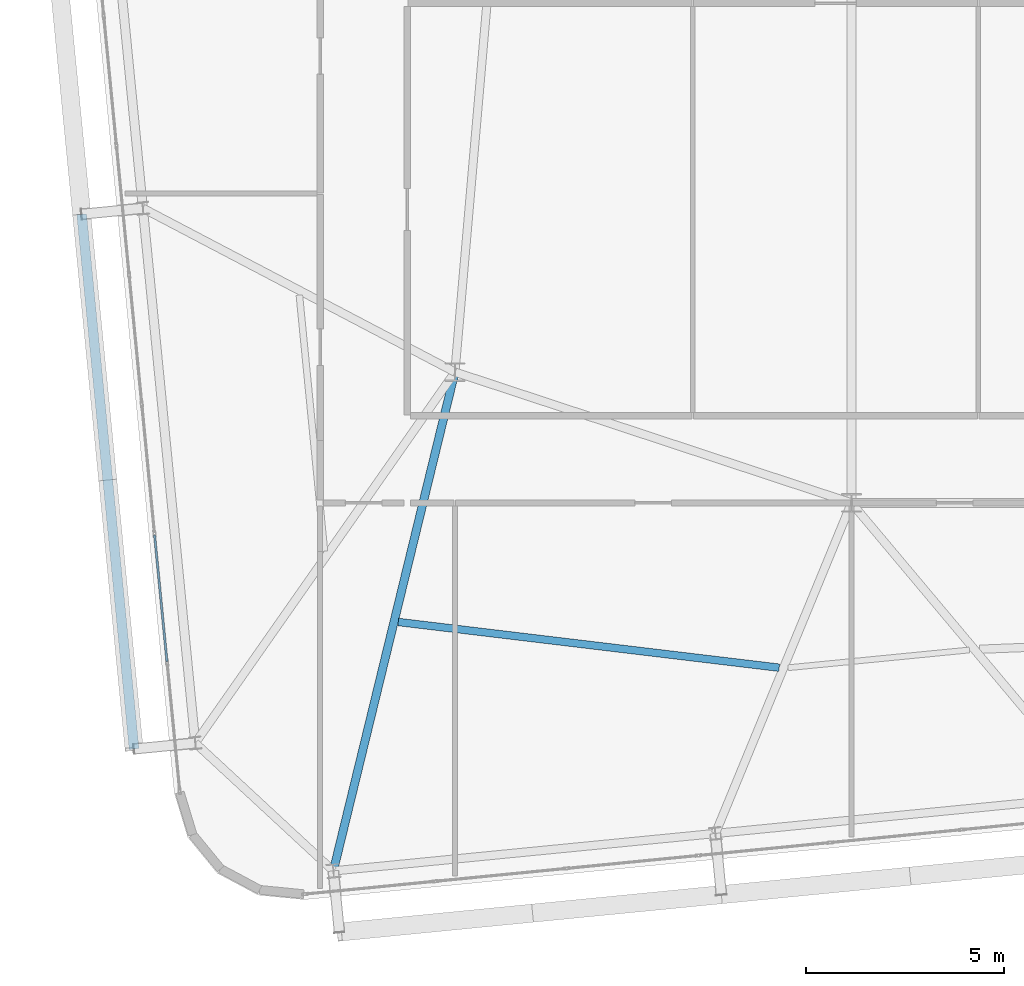
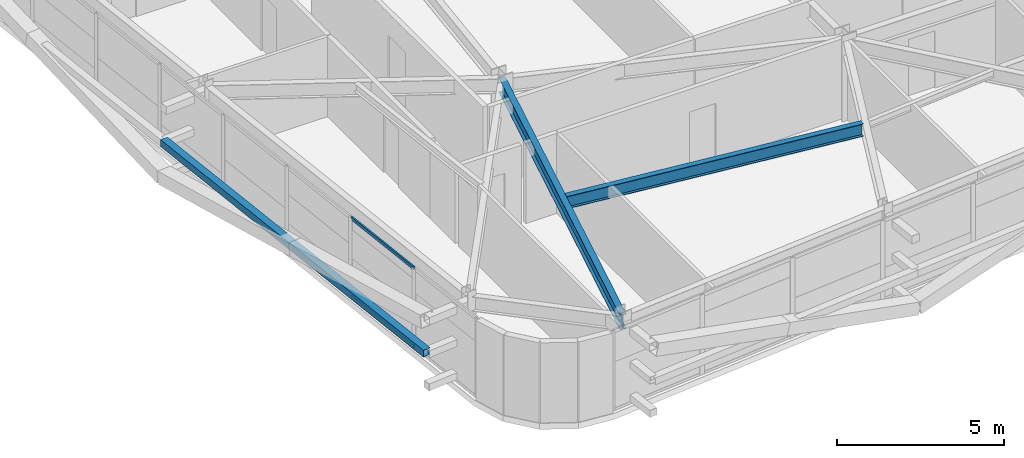
# One storey, part 7 of 52: 3 members, 2 beams, 1 element without a shape of its own.
"""IFC4 building model written with IfcOpenShell, lengths in metres."""

from ifc_helpers import new_model, si_unit, direction, frame, origin, origin_2d, place, context, subcontext, project, spatial, hollow_rectangle, i_section, extrude, source, transform, mapped, material, layer, layer_set, material_profile, profile_set, type_object, element, aggregate, save


model = new_model("IFC4")

# Units and contexts
model_context = context("Model", 3, precision=1e-05, world=origin(), true_north=direction((0.0, 1.0)))
body_context = subcontext(model_context, "Body", "Model", "MODEL_VIEW")
ifc_project = project(units=[si_unit("LENGTHUNIT", "METRE"), si_unit("AREAUNIT", "SQUARE_METRE"), si_unit("VOLUMEUNIT", "CUBIC_METRE"), si_unit("PLANEANGLEUNIT", "RADIAN"), si_unit("MASSUNIT", "GRAM", prefix="KILO")], contexts=[model_context])

# Site, building, storey
site_placement = place(None, origin())
site = spatial("IfcSite", under=ifc_project, at=site_placement, CompositionType="ELEMENT")
building_placement = place(site_placement, origin())
building = spatial("IfcBuilding", under=site, at=building_placement, Name="Taldren Reach Tower", CompositionType="ELEMENT")
storey_placement = place(building_placement, frame((0.0, 0.0, 96.60009765625)))
storey = spatial("IfcBuildingStorey", under=building, at=storey_placement, Name="L29", CompositionType="ELEMENT", Elevation=96.60009765625)

# Beams
ifc_material_1 = material(Name="Steel Gr 350 (350PLUS)", Category="steel")
ifc_material_profile_1 = material_profile(ifc_material_1, i_section(OverallWidth=0.208984375, OverallDepth=0.532958984375, WebThickness=0.01025390625, FlangeThickness=0.015625, at=origin_2d()), Name="530UB92.4")
ifc_profile_set_1 = profile_set([ifc_material_profile_1], Name="Steel Gr 350 (350PLUS)")
beam_type_1 = type_object("IfcBeamType", Name="BM-UB530A", PredefinedType="BEAM", material=ifc_profile_set_1)
shared_shape_1 = source(origin(), body_context, "Body", "SweptSolid", [
    extrude(i_section(OverallWidth=0.208984375, OverallDepth=0.532958984375, WebThickness=0.01025390625, FlangeThickness=0.015625, at=origin_2d()), origin(), (0.0, 0.0, 1.0), 12.947998046875),
])
beam_1_placement = place(storey_placement, frame((18.0, 12.5, 2.663330078125), z_axis=(-0.236786022782, -0.971561824803, 0.0), x_axis=(0.971561824803, -0.236786022782, 0.0)))
element("IfcBeam", 1, at=beam_1_placement, inside=storey, type_object=beam_type_1, Name="Primary floor girder B2-S1 L29", PredefinedType="BEAM", context=body_context, shape_type="MappedRepresentation", body=[
    mapped(shared_shape_1, transform((0.0, 0.0, 0.0), scale=1.0)),
])
ifc_material_profile_2 = material_profile(ifc_material_1, i_section(OverallWidth=0.19091796875, OverallDepth=0.4599609375, WebThickness=0.010009765625, FlangeThickness=0.01611328125, at=origin_2d()), Name="460UB82.1")
ifc_profile_set_2 = profile_set([ifc_material_profile_2], Name="Steel Gr 350 (350PLUS)")
beam_type_2 = type_object("IfcBeamType", Name="BM-UB460A", PredefinedType="BEAM", material=ifc_profile_set_2)
shared_shape_2 = source(origin(), body_context, "Body", "SweptSolid", [
    extrude(i_section(OverallWidth=0.19091796875, OverallDepth=0.4599609375, WebThickness=0.010009765625, FlangeThickness=0.01611328125, at=origin_2d()), origin(), (0.0, 0.0, 1.0), 9.673583984375),
])
beam_2_placement = place(storey_placement, frame((16.571533203125, 6.197509765625, 2.699951171875), z_axis=(0.992879584922, -0.119122331431, 0.0), x_axis=(0.119122331431, 0.992879584922, 0.0)))
element("IfcBeam", 2, at=beam_2_placement, inside=storey, type_object=beam_type_2, Name="Secondary floor beam B2 J1 L29", PredefinedType="BEAM", context=body_context, shape_type="MappedRepresentation", body=[
    mapped(shared_shape_2, transform((0.0, 0.0, 0.0), scale=1.0)),
])

# Member
ifc_material_2 = material(Name="Steel Gr 350 (C350L0)", Category="steel")
ifc_material_profile_3 = material_profile(ifc_material_2, hollow_rectangle(XDim=0.25, YDim=0.25, WallThickness=0.010009765625, at=origin_2d()), Name="250x250x10.0SHS")
ifc_profile_set_3 = profile_set([ifc_material_profile_3], Name="Steel Gr 350 (C350L0)")
member_type_1 = type_object("IfcMemberType", Name="MB-POST250", PredefinedType="POST", material=ifc_profile_set_3)
shared_shape_3 = source(origin(), body_context, "Body", "SweptSolid", [
    extrude(hollow_rectangle(XDim=0.25, YDim=0.25, WallThickness=0.010009765625, at=origin_2d()), origin(), (0.0, 0.0, 1.0), 13.5498046875),
])
member_1_placement = place(storey_placement, frame((9.91015625, 2.99462890625, 1.434814453125), z_axis=(-0.097585771221, 0.995227118428, 0.0), x_axis=(-0.995227118428, -0.097585771221, 0.0)))
element("IfcMember", 3, at=member_1_placement, inside=storey, type_object=member_type_1, Name="Exoskeleton mid-height ring chord B2-W1 L29", PredefinedType="POST", context=body_context, shape_type="MappedRepresentation", body=[
    mapped(shared_shape_3, transform((0.0, 0.0, 0.0), scale=1.0)),
])

# Curtain wall, members
ifc_material_3 = material(Name="Aluminium and Low-E Glass Unitised System", Category="aluminium")
ifc_layer = layer(ifc_material_3, 0.159912109375)
ifc_layer_set = layer_set([ifc_layer], Name="Aluminium and Low-E Glass Unitised System")
curtain_wall_type = type_object("IfcCurtainWallType", Name="CW-SYS-3", PredefinedType="NOTDEFINED", material=ifc_layer_set)
curtain_wall_placement = place(storey_placement, origin())
curtain_wall = element("IfcCurtainWall", 4, at=curtain_wall_placement, inside=storey, type_object=curtain_wall_type, Name="Unitised curtain wall CW-L29-W", PredefinedType="NOTDEFINED")
ifc_material_4 = material(Name="Anodised Aluminium 6063-T6", Category="aluminium")
ifc_material_profile_4 = material_profile(ifc_material_4, hollow_rectangle(XDim=0.054931640625, YDim=0.1201171875, WallThickness=0.0029296875, at=origin_2d()), Name="ALU-120x55x3RHS")
ifc_profile_set_4 = profile_set([ifc_material_profile_4], Name="Anodised Aluminium 6063-T6")
member_type_2 = type_object("IfcMemberType", Name="CW-TRN-135", PredefinedType="USERDEFINED", material=ifc_profile_set_4)
shared_shape_4 = source(origin(), body_context, "Body", "SweptSolid", [
    extrude(hollow_rectangle(XDim=0.054931640625, YDim=0.1201171875, WallThickness=0.0029296875, at=origin_2d()), origin(), (0.0, 0.0, 1.0), 3.212646484375),
])
member_2_placement = place(storey_placement, frame((10.42578125, 8.3935546875, 0.02734375), z_axis=(0.097577327663, -0.995227946315, 0.0), x_axis=(0.995227946315, 0.097577327663, 0.0)))
member_2 = element("IfcMember", 5, at=member_2_placement, type_object=member_type_2, Name="CW-3 transom 8.1", ObjectType="TRANSOM", PredefinedType="USERDEFINED", context=body_context, shape_type="MappedRepresentation", body=[
    mapped(shared_shape_4, transform((0.0, 0.0, 0.0), scale=1.0)),
])
member_3_placement = place(storey_placement, frame((10.42578125, 8.3935546875, 2.90234375), z_axis=(0.097577327663, -0.995227946315, 0.0), x_axis=(0.995227946315, 0.097577327663, 0.0)))
member_3 = element("IfcMember", 6, at=member_3_placement, type_object=member_type_2, Name="CW-3 transom 8.2", ObjectType="TRANSOM", PredefinedType="USERDEFINED", context=body_context, shape_type="MappedRepresentation", body=[
    mapped(shared_shape_4, transform((0.0, 0.0, 0.0), scale=1.0)),
])
aggregate(curtain_wall, [member_2, member_3])

save(model, "model.ifc")
